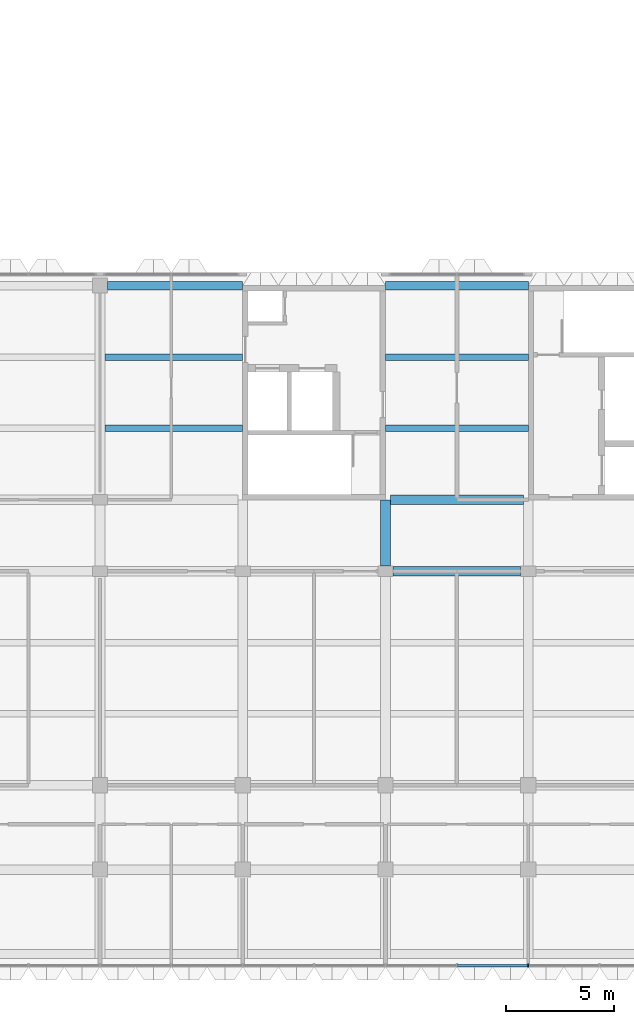
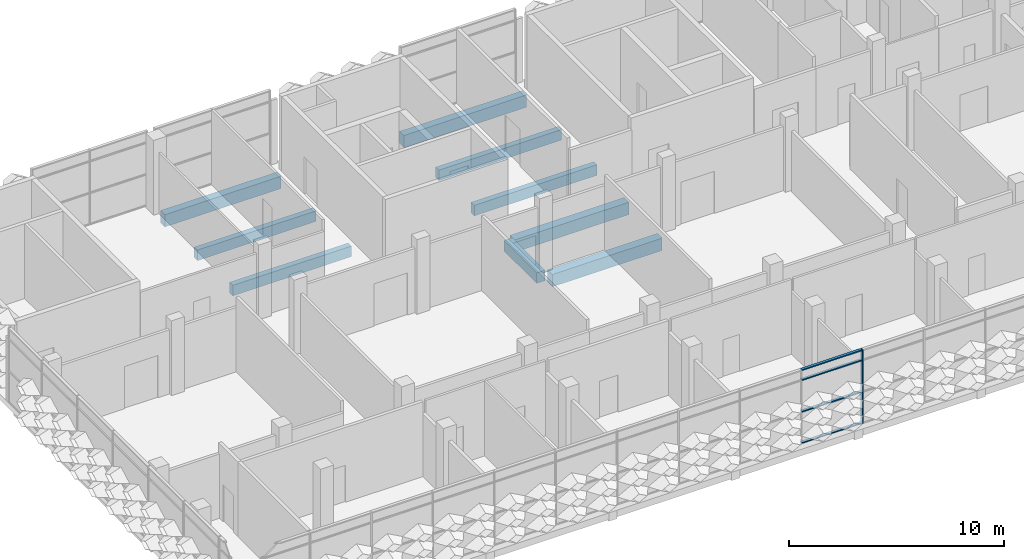
# One storey, part 5 of 61: 9 beams, 5 members, 1 element without a shape of its own.
"""IFC4 building model written with IfcOpenShell, lengths in metres."""

from ifc_helpers import new_model, si_unit, direction, frame, origin, origin_2d, place, context, subcontext, project, spatial, rectangle, extrude, material, material_profile, profile_set, type_object, element, aggregate, save


model = new_model("IFC4")

# Units and contexts
model_context = context("Model", 3, precision=1e-05, world=origin(), true_north=direction((0.0, 1.0)))
body_context = subcontext(model_context, "Body", "Model", "MODEL_VIEW")
ifc_project = project(units=[si_unit("LENGTHUNIT", "METRE"), si_unit("AREAUNIT", "SQUARE_METRE"), si_unit("VOLUMEUNIT", "CUBIC_METRE"), si_unit("PLANEANGLEUNIT", "RADIAN"), si_unit("MASSUNIT", "GRAM", prefix="KILO")], contexts=[model_context])

# Site, building, storey
site_placement = place(None, origin())
site = spatial("IfcSite", under=ifc_project, at=site_placement, CompositionType="ELEMENT")
building_placement = place(site_placement, origin())
building = spatial("IfcBuilding", under=site, at=building_placement, Name="Lantern Court Research Institute", CompositionType="ELEMENT")
storey_placement = place(building_placement, frame((0.0, 0.0, 23.39990234375)))
storey = spatial("IfcBuildingStorey", under=building, at=storey_placement, Name="L05", CompositionType="ELEMENT", Elevation=23.39990234375)

# Curtain wall, member
ifc_material_1 = material(Name="Aluminium alloy 6063-T6", Category="aluminium")
curtain_wall_type = type_object("IfcCurtainWallType", Name="Curtain wall 53400 x 4200 x 150 aluminium frame", PredefinedType="NOTDEFINED", material=ifc_material_1)
curtain_wall_placement = place(storey_placement, origin())
curtain_wall = element("IfcCurtainWall", 1, at=curtain_wall_placement, inside=storey, type_object=curtain_wall_type, Name="Curtain wall CW072", PredefinedType="NOTDEFINED")
ifc_material_2 = material(Name="Aluminium alloy 6063-T6", Category="aluminium")
ifc_material_profile_1 = material_profile(ifc_material_2, rectangle(XDim=0.14990234375, YDim=0.06005859375, at=origin_2d()), Name="Mullion 150 x 60")
ifc_profile_set_1 = profile_set([ifc_material_profile_1], Name="Aluminium alloy 6063-T6")
member_type_1 = type_object("IfcMemberType", Name="Mullion 150 x 60 aluminium", PredefinedType="MULLION", material=ifc_profile_set_1)
member_1_placement = place(storey_placement, frame((33.0, -8.324951171875, 0.0), z_axis=(0.0, 0.0, 1.0), x_axis=(0.0, -1.0, 0.0)))
member_1 = element("IfcMember", 2, at=member_1_placement, type_object=member_type_1, Name="CW072 mullion 11", PredefinedType="MULLION", context=body_context, shape_type="SweptSolid", body=[
    extrude(rectangle(XDim=0.14990234375, YDim=0.06005859375, at=origin_2d()), origin(), (0.0, 0.0, 1.0), 4.2001953125),
])

# Beams
ifc_material_3 = material(Name="Concrete C40/50", Category="concrete")
ifc_material_profile_2 = material_profile(ifc_material_3, rectangle(XDim=0.449951171875, YDim=0.699951171875, at=origin_2d()), Name="RC beam 450 x 700")
ifc_profile_set_2 = profile_set([ifc_material_profile_2], Name="Concrete C40/50")
beam_type_1 = type_object("IfcBeamType", Name="RC beam 450 x 700", PredefinedType="BEAM", material=ifc_profile_set_2)
beam_1_placement = place(storey_placement, frame((26.75, 9.89990234375, -0.64990234375), z_axis=(1.0, 0.0, 0.0), x_axis=(0.0, 1.0, 0.0)))
element("IfcBeam", 3, at=beam_1_placement, inside=storey, type_object=beam_type_1, Name="Beam L05 grid B/5-6", PredefinedType="BEAM", context=body_context, shape_type="SweptSolid", body=[
    extrude(rectangle(XDim=0.449951171875, YDim=0.699951171875, at=origin_2d()), origin(), (0.0, 0.0, 1.0), 5.89990234375),
])
beam_2_placement = place(storey_placement, frame((26.625, 13.199951171875, -0.64990234375), z_axis=(1.0, 0.0, 0.0), x_axis=(0.0, 1.0, 0.0)))
element("IfcBeam", 4, at=beam_2_placement, inside=storey, type_object=beam_type_1, Name="Beam L05 grid C/5-6", PredefinedType="BEAM", context=body_context, shape_type="SweptSolid", body=[
    extrude(rectangle(XDim=0.449951171875, YDim=0.699951171875, at=origin_2d()), origin(), (0.0, 0.0, 1.0), 6.14990234375),
])
ifc_material_4 = material(Name="Concrete C40/50", Category="concrete")
ifc_material_profile_3 = material_profile(ifc_material_4, rectangle(XDim=0.39990234375, YDim=0.699951171875, at=origin_2d()), Name="RC beam 400 x 700")
ifc_profile_set_3 = profile_set([ifc_material_profile_3], Name="Concrete C40/50")
beam_type_2 = type_object("IfcBeamType", Name="RC edge beam 400 x 700", PredefinedType="BEAM", material=ifc_profile_set_3)
beam_3_placement = place(storey_placement, frame((13.550048828125, 23.10009765625, -0.64990234375), z_axis=(1.0, 0.0, 0.0), x_axis=(0.0, 1.0, 0.0)))
element("IfcBeam", 5, at=beam_3_placement, inside=storey, type_object=beam_type_2, Name="Edge beam L05 grid D/3-4", PredefinedType="BEAM", context=body_context, shape_type="SweptSolid", body=[
    extrude(rectangle(XDim=0.39990234375, YDim=0.699951171875, at=origin_2d()), origin(), (0.0, 0.0, 1.0), 6.25),
])
beam_4_placement = place(storey_placement, frame((26.39990234375, 23.10009765625, -0.64990234375), z_axis=(1.0, 0.0, 0.0), x_axis=(0.0, 1.0, 0.0)))
element("IfcBeam", 6, at=beam_4_placement, inside=storey, type_object=beam_type_2, Name="Edge beam L05 grid D/5-6", PredefinedType="BEAM", context=body_context, shape_type="SweptSolid", body=[
    extrude(rectangle(XDim=0.39990234375, YDim=0.699951171875, at=origin_2d()), origin(), (0.0, 0.0, 1.0), 6.60009765625),
])
ifc_material_5 = material(Name="Concrete C40/50", Category="concrete")
ifc_material_profile_4 = material_profile(ifc_material_5, rectangle(XDim=0.300048828125, YDim=0.60009765625, at=origin_2d()), Name="RC beam 300 x 600")
ifc_profile_set_4 = profile_set([ifc_material_profile_4], Name="Concrete C40/50")
beam_type_3 = type_object("IfcBeamType", Name="RC secondary beam 300 x 600", PredefinedType="BEAM", material=ifc_profile_set_4)
beam_5_placement = place(storey_placement, frame((13.425048828125, 16.5, -0.599853515625), z_axis=(1.0, 0.0, 0.0), x_axis=(0.0, 1.0, 0.0)))
element("IfcBeam", 7, at=beam_5_placement, inside=storey, type_object=beam_type_3, Name="Secondary beam L05 grids 3-4 / C-D, line 1", PredefinedType="BEAM", context=body_context, shape_type="SweptSolid", body=[
    extrude(rectangle(XDim=0.300048828125, YDim=0.60009765625, at=origin_2d()), origin(), (0.0, 0.0, 1.0), 6.375),
])
beam_6_placement = place(storey_placement, frame((26.39990234375, 16.5, -0.599853515625), z_axis=(1.0, 0.0, 0.0), x_axis=(0.0, 1.0, 0.0)))
element("IfcBeam", 8, at=beam_6_placement, inside=storey, type_object=beam_type_3, Name="Secondary beam L05 grids 5-6 / C-D, line 1", PredefinedType="BEAM", context=body_context, shape_type="SweptSolid", body=[
    extrude(rectangle(XDim=0.300048828125, YDim=0.60009765625, at=origin_2d()), origin(), (0.0, 0.0, 1.0), 6.60009765625),
])
beam_7_placement = place(storey_placement, frame((13.425048828125, 19.800048828125, -0.599853515625), z_axis=(1.0, 0.0, 0.0), x_axis=(0.0, 1.0, 0.0)))
element("IfcBeam", 9, at=beam_7_placement, inside=storey, type_object=beam_type_3, Name="Secondary beam L05 grids 3-4 / C-D, line 2", PredefinedType="BEAM", context=body_context, shape_type="SweptSolid", body=[
    extrude(rectangle(XDim=0.300048828125, YDim=0.60009765625, at=origin_2d()), origin(), (0.0, 0.0, 1.0), 6.375),
])
beam_8_placement = place(storey_placement, frame((26.39990234375, 19.800048828125, -0.599853515625), z_axis=(1.0, 0.0, 0.0), x_axis=(0.0, 1.0, 0.0)))
element("IfcBeam", 10, at=beam_8_placement, inside=storey, type_object=beam_type_3, Name="Secondary beam L05 grids 5-6 / C-D, line 2", PredefinedType="BEAM", context=body_context, shape_type="SweptSolid", body=[
    extrude(rectangle(XDim=0.300048828125, YDim=0.60009765625, at=origin_2d()), origin(), (0.0, 0.0, 1.0), 6.60009765625),
])
ifc_material_6 = material(Name="Concrete C40/50", Category="concrete")
ifc_material_profile_5 = material_profile(ifc_material_6, rectangle(XDim=0.449951171875, YDim=0.60009765625, at=origin_2d()), Name="RC beam 450 x 600")
ifc_profile_set_5 = profile_set([ifc_material_profile_5], Name="Concrete C40/50")
beam_type_4 = type_object("IfcBeamType", Name="RC spine beam 450 x 600", PredefinedType="BEAM", material=ifc_profile_set_5)
beam_9_placement = place(storey_placement, frame((26.39990234375, 10.14990234375, -0.599853515625), z_axis=(0.0, 1.0, 0.0), x_axis=(-1.0, 0.0, 0.0)))
element("IfcBeam", 11, at=beam_9_placement, inside=storey, type_object=beam_type_4, Name="Beam L05 grid 5/B-C", PredefinedType="BEAM", context=body_context, shape_type="SweptSolid", body=[
    extrude(rectangle(XDim=0.449951171875, YDim=0.60009765625, at=origin_2d()), origin(), (0.0, 0.0, 1.0), 3.050048828125),
])

# Member
ifc_material_7 = material(Name="Aluminium alloy 6063-T6", Category="aluminium")
ifc_material_profile_6 = material_profile(ifc_material_7, rectangle(XDim=0.14990234375, YDim=0.06005859375, at=origin_2d()), Name="Transom 150 x 60")
ifc_profile_set_6 = profile_set([ifc_material_profile_6], Name="Aluminium alloy 6063-T6")
member_type_2 = type_object("IfcMemberType", Name="Transom 150 x 60 aluminium", PredefinedType="USERDEFINED", material=ifc_profile_set_6)
member_2_placement = place(storey_placement, frame((32.969970703125, -8.324951171875, 0.030029296875), z_axis=(-1.0, 0.0, 0.0), x_axis=(0.0, -1.0, 0.0)))
member_2 = element("IfcMember", 12, at=member_2_placement, type_object=member_type_2, Name="CW072 transom 10.1", ObjectType="TRANSOM", PredefinedType="USERDEFINED", context=body_context, shape_type="SweptSolid", body=[
    extrude(rectangle(XDim=0.14990234375, YDim=0.06005859375, at=origin_2d()), origin(), (0.0, 0.0, 1.0), 3.239990234375),
])

member_3_placement = place(storey_placement, frame((32.969970703125, -8.324951171875, 1.800048828125), z_axis=(-1.0, 0.0, 0.0), x_axis=(0.0, -1.0, 0.0)))
member_3 = element("IfcMember", 13, at=member_3_placement, type_object=member_type_2, Name="CW072 transom 10.2", ObjectType="TRANSOM", PredefinedType="USERDEFINED", context=body_context, shape_type="SweptSolid", body=[
    extrude(rectangle(XDim=0.14990234375, YDim=0.06005859375, at=origin_2d()), origin(), (0.0, 0.0, 1.0), 3.239990234375),
])

member_4_placement = place(storey_placement, frame((32.969970703125, -8.324951171875, 3.60009765625), z_axis=(-1.0, 0.0, 0.0), x_axis=(0.0, -1.0, 0.0)))
member_4 = element("IfcMember", 14, at=member_4_placement, type_object=member_type_2, Name="CW072 transom 10.3", ObjectType="TRANSOM", PredefinedType="USERDEFINED", context=body_context, shape_type="SweptSolid", body=[
    extrude(rectangle(XDim=0.14990234375, YDim=0.06005859375, at=origin_2d()), origin(), (0.0, 0.0, 1.0), 3.239990234375),
])

member_5_placement = place(storey_placement, frame((32.969970703125, -8.324951171875, 4.170166015625), z_axis=(-1.0, 0.0, 0.0), x_axis=(0.0, -1.0, 0.0)))
member_5 = element("IfcMember", 15, at=member_5_placement, type_object=member_type_2, Name="CW072 transom 10.4", ObjectType="TRANSOM", PredefinedType="USERDEFINED", context=body_context, shape_type="SweptSolid", body=[
    extrude(rectangle(XDim=0.14990234375, YDim=0.06005859375, at=origin_2d()), origin(), (0.0, 0.0, 1.0), 3.239990234375),
])

aggregate(curtain_wall, [member_1, member_2, member_3, member_4, member_5])

save(model, "model.ifc")
